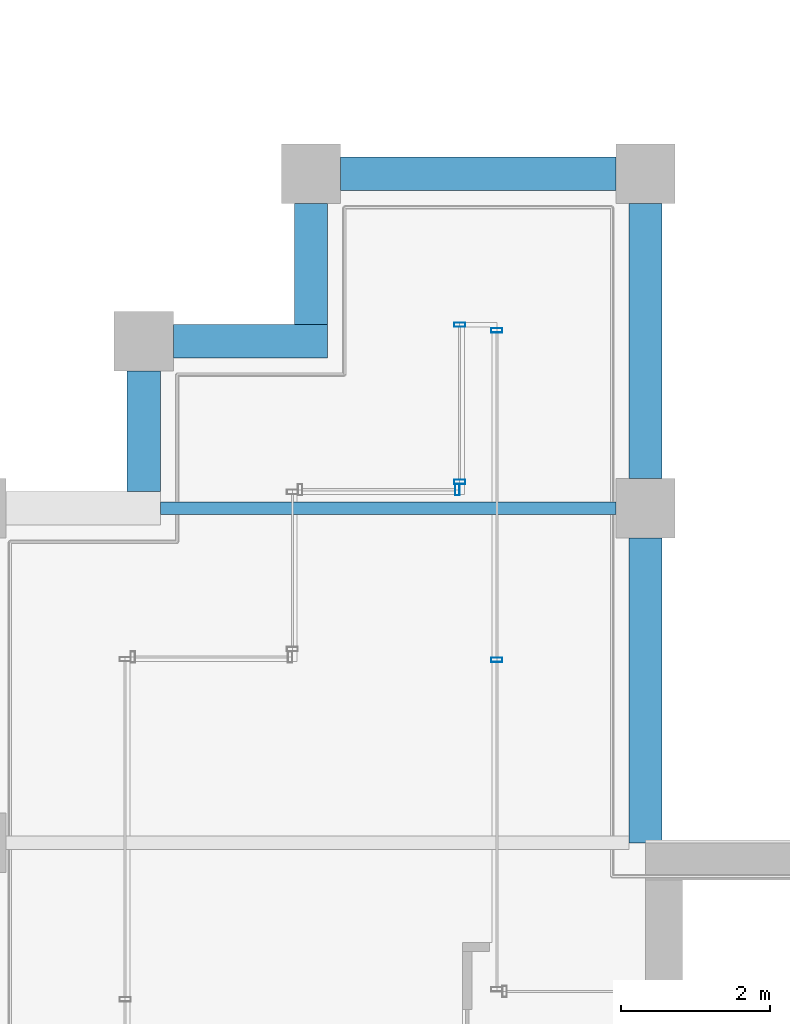
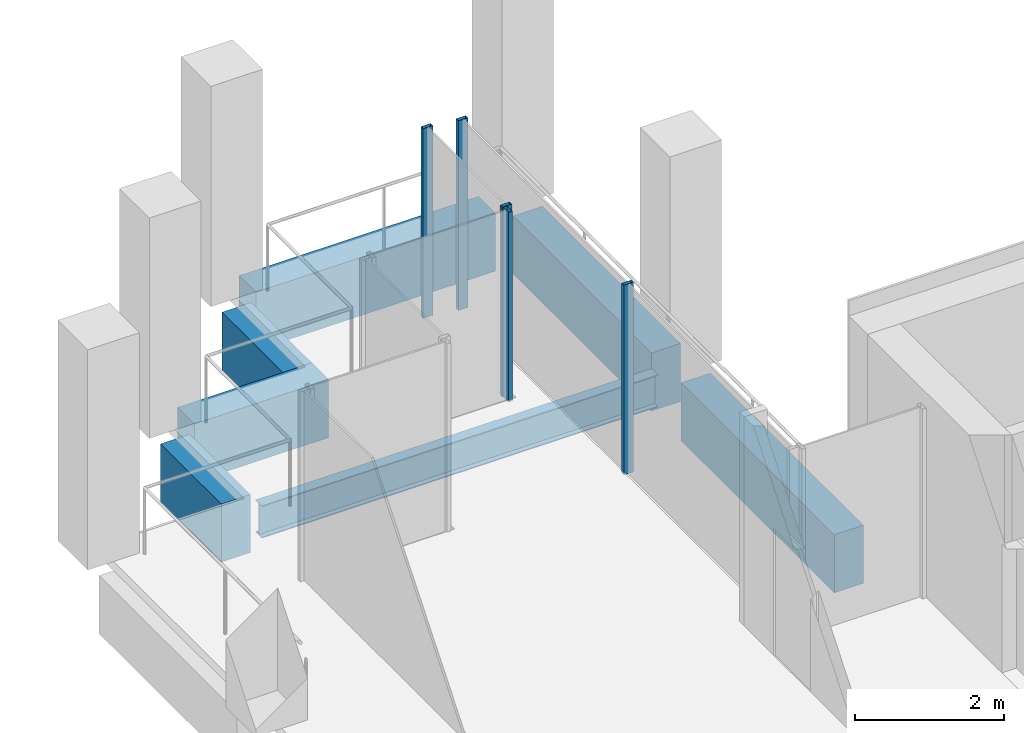
# One storey, part 33 of 41: 7 beams, 5 members, 3 elements without a shape of their own.
"""IFC4 building model written with IfcOpenShell, lengths in metres."""

from ifc_helpers import new_model, si_unit, direction, frame, origin, origin_2d, place, context, subcontext, project, spatial, rectangle, hollow_rectangle, i_section, extrude, material, material_profile, profile_set, type_object, element, aggregate, save


model = new_model("IFC4")

# Units and contexts
model_context = context("Model", 3, precision=1e-05, world=origin(), true_north=direction((0.0, 1.0)))
body_context = subcontext(model_context, "Body", "Model", "MODEL_VIEW")
ifc_project = project(units=[si_unit("LENGTHUNIT", "METRE"), si_unit("AREAUNIT", "SQUARE_METRE"), si_unit("VOLUMEUNIT", "CUBIC_METRE"), si_unit("PLANEANGLEUNIT", "RADIAN"), si_unit("MASSUNIT", "GRAM", prefix="KILO")], contexts=[model_context])

# Site, building, storey
site_placement = place(None, origin())
site = spatial("IfcSite", under=ifc_project, at=site_placement, CompositionType="ELEMENT")
building_placement = place(site_placement, origin())
building = spatial("IfcBuilding", under=site, at=building_placement, Name="Altepetl Exchange Towers", CompositionType="ELEMENT")
storey_placement = place(building_placement, frame((0.0, 0.0, 206.39990234375)))
storey = spatial("IfcBuildingStorey", under=building, at=storey_placement, Name="L52", CompositionType="ELEMENT", Elevation=206.39990234375)

# Beam
ifc_material_1 = material(Name="Steel S355", Category="steel")
ifc_material_profile_1 = material_profile(ifc_material_1, i_section(OverallWidth=0.166015625, OverallDepth=0.529052734375, WebThickness=0.009765625, FlangeThickness=0.013671875, at=origin_2d()), Name="W21X50")
ifc_profile_set_1 = profile_set([ifc_material_profile_1], Name="Steel S355")
beam_type_1 = type_object("IfcBeamType", Name="Floor beam W21X50", PredefinedType="BEAM", material=ifc_profile_set_1)
beam_1_placement = place(storey_placement, frame((96.97509765625, 54.0, -0.414306640625), z_axis=(1.0, 0.0, 0.0), x_axis=(0.0, 1.0, 0.0)))
element("IfcBeam", 1, at=beam_1_placement, inside=storey, type_object=beam_type_1, Name="bm:B:L52:007", PredefinedType="BEAM", context=body_context, shape_type="SweptSolid", body=[
    extrude(i_section(OverallWidth=0.166015625, OverallDepth=0.529052734375, WebThickness=0.009765625, FlangeThickness=0.013671875, at=origin_2d()), origin(), (0.0, 0.0, 1.0), 6.125),
])

# Curtain wall, members
ifc_material_2 = material(Name="Aluminium 6063-T6 glazing", Category="aluminium")
curtain_wall_type = type_object("IfcCurtainWallType", Name="Loggia glazing system", PredefinedType="NOTDEFINED", material=ifc_material_2)
curtain_wall_1_placement = place(storey_placement, origin())
curtain_wall_1 = element("IfcCurtainWall", 2, at=curtain_wall_1_placement, inside=storey, type_object=curtain_wall_type, Name="CW1 run", PredefinedType="NOTDEFINED")
ifc_material_3 = material(Name="Aluminium 6063-T6", Category="aluminium")
ifc_material_profile_2 = material_profile(ifc_material_3, hollow_rectangle(XDim=0.06005859375, YDim=0.14990234375, WallThickness=0.0029296875, at=origin_2d()), Name="Mullion 60x150 aluminium")
ifc_profile_set_2 = profile_set([ifc_material_profile_2], Name="Aluminium 6063-T6")
member_type = type_object("IfcMemberType", Name="Mullion 60x150 aluminium", PredefinedType="MULLION", material=ifc_profile_set_2)
member_1_placement = place(storey_placement, frame((101.5, 51.96240234375, 0.0), z_axis=(0.0, 0.0, 1.0), x_axis=(0.0, 1.0, 0.0)))
member_1 = element("IfcMember", 3, at=member_1_placement, type_object=member_type, Name="MU1 mullion", PredefinedType="MULLION", context=body_context, shape_type="SweptSolid", body=[
    extrude(hollow_rectangle(XDim=0.06005859375, YDim=0.14990234375, WallThickness=0.0029296875, at=origin_2d()), origin(), (0.0, 0.0, 1.0), 3.10009765625),
])
member_2_placement = place(storey_placement, frame((101.5, 56.39501953125, 0.0), z_axis=(0.0, 0.0, 1.0), x_axis=(0.0, 1.0, 0.0)))
member_2 = element("IfcMember", 4, at=member_2_placement, type_object=member_type, Name="MU1 mullion", PredefinedType="MULLION", context=body_context, shape_type="SweptSolid", body=[
    extrude(hollow_rectangle(XDim=0.06005859375, YDim=0.14990234375, WallThickness=0.0029296875, at=origin_2d()), origin(), (0.0, 0.0, 1.0), 3.10009765625),
])
aggregate(curtain_wall_1, [member_1, member_2])

curtain_wall_2_placement = place(storey_placement, origin())
curtain_wall_2 = element("IfcCurtainWall", 5, at=curtain_wall_2_placement, inside=storey, type_object=curtain_wall_type, Name="CW1 run", PredefinedType="NOTDEFINED")
member_3_placement = place(storey_placement, frame((101.0, 56.469970703125, 0.0), z_axis=(0.0, 0.0, 1.0), x_axis=(0.0, -1.0, 0.0)))
member_3 = element("IfcMember", 6, at=member_3_placement, type_object=member_type, Name="MU1 mullion", PredefinedType="MULLION", context=body_context, shape_type="SweptSolid", body=[
    extrude(hollow_rectangle(XDim=0.06005859375, YDim=0.14990234375, WallThickness=0.0029296875, at=origin_2d()), origin(), (0.0, 0.0, 1.0), 3.10009765625),
])
member_4_placement = place(storey_placement, frame((101.0, 54.35498046875, 0.0), z_axis=(0.0, 0.0, 1.0), x_axis=(0.0, -1.0, 0.0)))
member_4 = element("IfcMember", 7, at=member_4_placement, type_object=member_type, Name="MU1 mullion", PredefinedType="MULLION", context=body_context, shape_type="SweptSolid", body=[
    extrude(hollow_rectangle(XDim=0.06005859375, YDim=0.14990234375, WallThickness=0.0029296875, at=origin_2d()), origin(), (0.0, 0.0, 1.0), 3.10009765625),
])
aggregate(curtain_wall_2, [member_3, member_4])

# Curtain wall, member
curtain_wall_3_placement = place(storey_placement, origin())
curtain_wall_3 = element("IfcCurtainWall", 8, at=curtain_wall_3_placement, inside=storey, type_object=curtain_wall_type, Name="CW1 run", PredefinedType="NOTDEFINED")
member_5_placement = place(storey_placement, frame((100.969970703125, 54.25, 0.0), z_axis=(0.0, 0.0, 1.0), x_axis=(-1.0, 0.0, 0.0)))
member_5 = element("IfcMember", 9, at=member_5_placement, type_object=member_type, Name="MU1 mullion", PredefinedType="MULLION", context=body_context, shape_type="SweptSolid", body=[
    extrude(hollow_rectangle(XDim=0.06005859375, YDim=0.14990234375, WallThickness=0.0029296875, at=origin_2d()), origin(), (0.0, 0.0, 1.0), 3.10009765625),
])
aggregate(curtain_wall_3, [member_5])

# Beams
ifc_material_4 = material(Name="Concrete C50/60 precast with cantera rosa facing", Category="concrete")
ifc_material_profile_3 = material_profile(ifc_material_4, rectangle(XDim=0.449951171875, YDim=0.949951171875, at=origin_2d()), Name="450 x 950")
ifc_profile_set_3 = profile_set([ifc_material_profile_3], Name="Concrete C50/60 precast with cantera rosa facing")
beam_type_2 = type_object("IfcBeamType", Name="Spandrel beam 450x950 cantera rosa", PredefinedType="SPANDREL", material=ifc_profile_set_3)
beam_2_placement = place(storey_placement, frame((103.5, 49.5, -0.625), z_axis=(0.0, 1.0, 0.0), x_axis=(-1.0, 0.0, 0.0)))
element("IfcBeam", 10, at=beam_2_placement, inside=storey, type_object=beam_type_2, Name="sp:B:L52:008", PredefinedType="SPANDREL", context=body_context, shape_type="SweptSolid", body=[
    extrude(rectangle(XDim=0.449951171875, YDim=0.949951171875, at=origin_2d()), origin(), (0.0, 0.0, 1.0), 4.10009765625),
])
for number, where, z_axis, x_axis, name in (
    (11, (103.5, 54.39990234375, -0.625), (0.0, 1.0, 0.0), (-1.0, 0.0, 0.0), "sp:B:L52:009"),
    (12, (103.10009765625, 58.5, -0.625), (-1.0, 0.0, 0.0), (0.0, -1.0, 0.0), "sp:B:L52:010"),
):
    element("IfcBeam", number, at=place(storey_placement, frame(where, z_axis=z_axis, x_axis=x_axis)), inside=storey, type_object=beam_type_2, Name=name, PredefinedType="SPANDREL", context=body_context, shape_type="SweptSolid", body=[
        extrude(rectangle(XDim=0.449951171875, YDim=0.949951171875, at=origin_2d()), origin(), (0.0, 0.0, 1.0), 3.7001953125),
    ])
beam_3_placement = place(storey_placement, frame((99.0, 58.10009765625, -0.625), z_axis=(0.0, -1.0, 0.0), x_axis=(1.0, 0.0, 0.0)))
element("IfcBeam", 13, at=beam_3_placement, inside=storey, type_object=beam_type_2, Name="sp:B:L52:011", PredefinedType="SPANDREL", context=body_context, shape_type="SweptSolid", body=[
    extrude(rectangle(XDim=0.449951171875, YDim=0.949951171875, at=origin_2d()), origin(), (0.0, 0.0, 1.0), 1.625),
])
beam_4_placement = place(storey_placement, frame((99.22509765625, 56.25, -0.625), z_axis=(-1.0, 0.0, 0.0), x_axis=(0.0, -1.0, 0.0)))
element("IfcBeam", 14, at=beam_4_placement, inside=storey, type_object=beam_type_2, Name="sp:B:L52:012", PredefinedType="SPANDREL", context=body_context, shape_type="SweptSolid", body=[
    extrude(rectangle(XDim=0.449951171875, YDim=0.949951171875, at=origin_2d()), origin(), (0.0, 0.0, 1.0), 2.0751953125),
])
beam_5_placement = place(storey_placement, frame((96.75, 55.85009765625, -0.625), z_axis=(0.0, -1.0, 0.0), x_axis=(1.0, 0.0, 0.0)))
element("IfcBeam", 15, at=beam_5_placement, inside=storey, type_object=beam_type_2, Name="sp:B:L52:013", PredefinedType="SPANDREL", context=body_context, shape_type="SweptSolid", body=[
    extrude(rectangle(XDim=0.449951171875, YDim=0.949951171875, at=origin_2d()), origin(), (0.0, 0.0, 1.0), 1.625),
])

save(model, "model.ifc")
